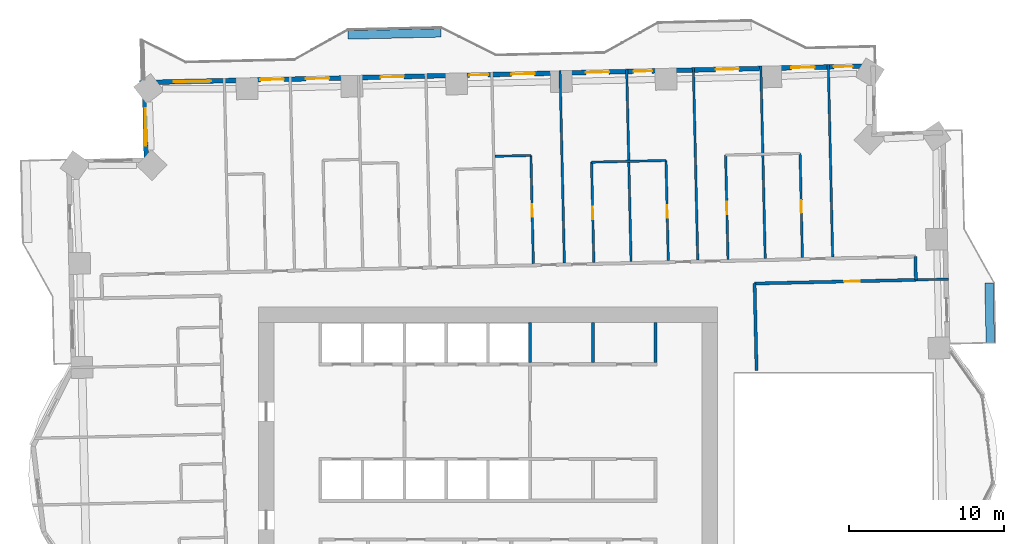
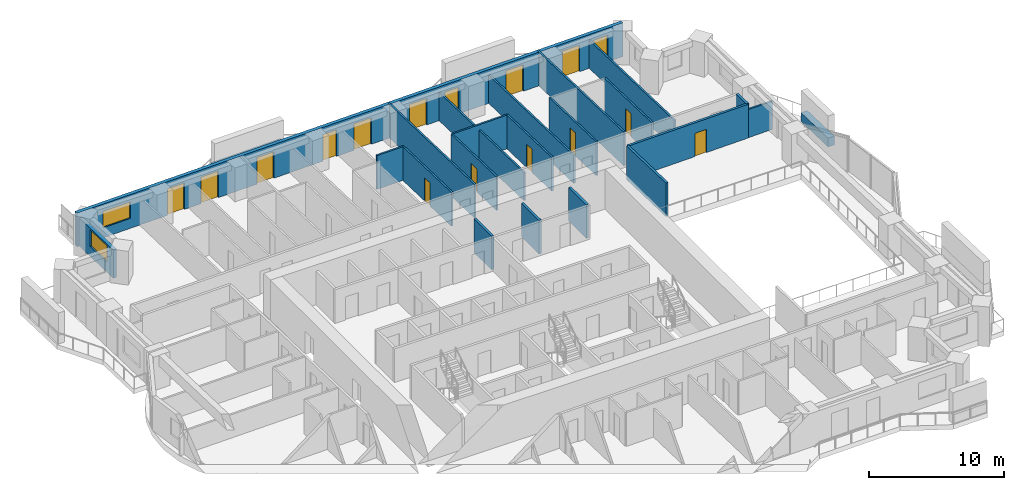
# One storey, part 12 of 17: 23 walls, 16 doors, 2 windows, 18 openings.
"""IFC4 building model written with IfcOpenShell, lengths in metres."""

import ifcopenshell
import ifcopenshell.guid

model = None  # the IFC model being written
_history = None  # IfcOwnerHistory: only IFC2X3 demands one
_inside = {}  # id of a spatial element -> (the spatial element, [elements in it])
_under = {}  # id of a project, library or spatial element -> (it, [spatial elements below it])
_declared = {}  # id of a project -> (the project, [libraries it declares])
_typed = {}  # id of a type object -> (the type object, [elements of that type])
_made_of = {}  # id of a material, layer set ... -> (it, [elements and type objects made of it])


def new_model(schema):
    """Start an empty IFC model of exactly this schema.

    Asked for "IFC4X3", IfcOpenShell would pick the latest addendum, in which some entities
    have other attributes; the version numbers below select the first issue.
    IFC2X3 requires an IfcOwnerHistory on every rooted entity: one is made here for all.
    """
    global model, _history
    if schema == "IFC4X3":
        model = ifcopenshell.file(schema_version=(4, 3, 0, 0))
    else:
        model = ifcopenshell.file(schema=schema)
    _inside.clear()
    _under.clear()
    _declared.clear()
    _typed.clear()
    _made_of.clear()
    _history = None
    if model.schema == "IFC2X3":
        org = make("IfcOrganization", Name="unknown")
        user = make(
            "IfcPersonAndOrganization",
            ThePerson=make("IfcPerson", FamilyName="unknown"),
            TheOrganization=org,
        )
        app = make(
            "IfcApplication",
            ApplicationDeveloper=org,
            Version="unknown",
            ApplicationFullName="unknown",
            ApplicationIdentifier="unknown",
        )
        _history = make(
            "IfcOwnerHistory",
            OwningUser=user,
            OwningApplication=app,
            ChangeAction="ADDED",
            CreationDate=0,
        )
    return model


def make(cls, **values):
    """One entity of the class cls with the attributes given. An attribute that is None is left unset."""
    return model.create_entity(
        cls, **{name: value for name, value in values.items() if value is not None}
    )


def rooted(cls, **values):
    """An entity with a GlobalId (a new one), such as an element, a storey or a relation."""
    return make(cls, GlobalId=ifcopenshell.guid.new(), OwnerHistory=_history, **values)


def si_unit(unit_type, name, prefix=None):
    """IfcSIUnit, for example si_unit("LENGTHUNIT", "METRE", prefix="MILLI")."""
    return make("IfcSIUnit", UnitType=unit_type, Prefix=prefix, Name=name)


def assignment(units):
    """IfcUnitAssignment: the units of a project."""
    return None if units is None else make("IfcUnitAssignment", Units=units)


def point(xyz):
    """IfcCartesianPoint."""
    return None if xyz is None else make("IfcCartesianPoint", Coordinates=xyz)


def direction(xyz):
    """IfcDirection."""
    return None if xyz is None else make("IfcDirection", DirectionRatios=xyz)


def frame(location, z_axis=None, x_axis=None):
    """IfcAxis2Placement3D, a coordinate frame: its origin and axes. An axis left out is left unset."""
    return make(
        "IfcAxis2Placement3D",
        Location=point(location),
        Axis=direction(z_axis),
        RefDirection=direction(x_axis),
    )


def frame_2d(location, x_axis=None):
    """IfcAxis2Placement2D, a coordinate frame in the plane: its origin and x axis."""
    return make(
        "IfcAxis2Placement2D", Location=point(location), RefDirection=direction(x_axis)
    )


def origin():
    """The frame at (0, 0, 0) with its axes left unset."""
    return frame((0.0, 0.0, 0.0))


def place(relative_to, where):
    """IfcLocalPlacement: puts the frame where relative to a parent placement (None: the world)."""
    return make(
        "IfcLocalPlacement", PlacementRelTo=relative_to, RelativePlacement=where
    )


def context(
    kind, dimensions, precision=None, world=None, true_north=None, identifier=None
):
    """IfcGeometricRepresentationContext, for example the 3D "Model" context."""
    return make(
        "IfcGeometricRepresentationContext",
        ContextIdentifier=identifier,
        ContextType=kind,
        CoordinateSpaceDimension=dimensions,
        Precision=precision,
        WorldCoordinateSystem=world,
        TrueNorth=true_north,
    )


def subcontext(parent, identifier, kind, view, scale=None):
    """IfcGeometricRepresentationSubContext, for example "Body" below "Model"."""
    return make(
        "IfcGeometricRepresentationSubContext",
        ContextIdentifier=identifier,
        ContextType=kind,
        ParentContext=parent,
        TargetScale=scale,
        TargetView=view,
    )


def project(units=None, contexts=None):
    """IfcProject with its units and contexts."""
    return rooted(
        "IfcProject",
        Name="project",
        RepresentationContexts=contexts,
        UnitsInContext=assignment(units),
    )


def spatial(cls, under=None, at=None, **own):
    """A site, building, storey or space (cls), placed at a placement, below another one or the project."""
    s = rooted(cls, ObjectPlacement=at, **own)
    if under is not None:
        _under.setdefault(under.id(), (under, []))[1].append(s)
    return s


def profile(cls, at=None, kind="AREA", **sizes):
    """A parametric profile (cls). Its sizes go by their IFC names, for example OverallWidth=200.0."""
    return make(cls, ProfileType=kind, Position=at, **sizes)


def rectangle(**sizes):
    """IfcRectangleProfileDef."""
    return profile("IfcRectangleProfileDef", **sizes)


def extrude(swept, where, along, depth):
    """IfcExtrudedAreaSolid: the profile swept, set in the frame where, extruded along a direction by depth."""
    return make(
        "IfcExtrudedAreaSolid",
        SweptArea=swept,
        Position=where,
        ExtrudedDirection=direction(along),
        Depth=depth,
    )


def shape(context_of_items, identifier, shape_type, items):
    """IfcShapeRepresentation: the items that make up one representation, for example the "Body"."""
    return make(
        "IfcShapeRepresentation",
        ContextOfItems=context_of_items,
        RepresentationIdentifier=identifier,
        RepresentationType=shape_type,
        Items=items,
    )


def material(Name=None, Category=None):
    """IfcMaterial."""
    return make("IfcMaterial", Name=Name, Category=Category)


def layer(
    of_material, thickness, ventilated=None, Name=None, Category=None, Priority=None
):
    """IfcMaterialLayer: one layer of a wall or slab, of a material (None: an air gap)."""
    return make(
        "IfcMaterialLayer",
        Material=of_material,
        LayerThickness=thickness,
        IsVentilated=ventilated,
        Name=Name,
        Category=Category,
        Priority=Priority,
    )


def layer_set(layers, Name=None):
    """IfcMaterialLayerSet."""
    return make("IfcMaterialLayerSet", MaterialLayers=layers, LayerSetName=Name)


def made_of(thing, what):
    """Note that an element or type object is made of a material, layer set ...; save() writes the relation."""
    if what is not None:
        _made_of.setdefault(what.id(), (what, []))[1].append(thing)
    return thing


def type_object(cls, material=None, **own):
    """A type object (cls), such as IfcWallType, which elements share."""
    return made_of(rooted(cls, **own), material)


def element(
    cls,
    number,
    at=None,
    inside=None,
    cuts=None,
    type_object=None,
    material=None,
    context=None,
    identifier="Body",
    shape_type=None,
    held_by="IfcProductDefinitionShape",
    body=None,
    shapes=None,
    **own,
):
    """One element of the class cls, such as IfcWall. Its Tag is "e" and its number.

    at: its placement. inside: the storey or other place that contains it. cuts: it is an
    opening in that element (IfcRelVoidsElement). A single representation is given by context,
    identifier, shape_type and body (its items); several are given by shapes. held_by: the class
    of the entity that holds the representations. save() writes the other relations.
    """
    e = rooted(cls, Tag="e%d" % number, ObjectPlacement=at, **own)
    if body is not None:
        shapes = [shape(context, identifier, shape_type, body)]
    if shapes is not None:
        e.Representation = make(held_by, Representations=shapes)
    if inside is not None:
        _inside.setdefault(inside.id(), (inside, []))[1].append(e)
    if cuts is not None:
        rooted(
            "IfcRelVoidsElement", RelatingBuildingElement=cuts, RelatedOpeningElement=e
        )
    if type_object is not None:
        _typed.setdefault(type_object.id(), (type_object, []))[1].append(e)
    return made_of(e, material)


def fill(opening, filler):
    """IfcRelFillsElement: the door or window that sits in an opening."""
    return rooted(
        "IfcRelFillsElement",
        RelatingOpeningElement=opening,
        RelatedBuildingElement=filler,
    )


def aggregate(whole, parts):
    """IfcRelAggregates: a whole, such as a stair, and the parts it consists of."""
    return rooted("IfcRelAggregates", RelatingObject=whole, RelatedObjects=parts)


def save(model, path):
    """Write the relations noted so far, then the file.

    IfcRelAggregates (storeys below a building ...), IfcRelContainedInSpatialStructure (elements
    in a storey), IfcRelDefinesByType, IfcRelAssociatesMaterial and IfcRelDeclares: one each for
    every whole, place, type object, material and project.
    """
    for whole, parts in _under.values():
        aggregate(whole, parts)
    for where, things in _inside.values():
        rooted(
            "IfcRelContainedInSpatialStructure",
            RelatedElements=things,
            RelatingStructure=where,
        )
    for kind, things in _typed.values():
        rooted("IfcRelDefinesByType", RelatedObjects=things, RelatingType=kind)
    for what, things in _made_of.values():
        rooted("IfcRelAssociatesMaterial", RelatedObjects=things, RelatingMaterial=what)
    for by, libraries in _declared.values():
        rooted("IfcRelDeclares", RelatingContext=by, RelatedDefinitions=libraries)
    model.write(path)


model = new_model("IFC4")

# Units and contexts
model_context = context("Model", 3, precision=1e-05, world=origin(), true_north=direction((0.0, 1.0)))
body_context = subcontext(model_context, "Body", "Model", "MODEL_VIEW")
ifc_project = project(units=[si_unit("LENGTHUNIT", "METRE"), si_unit("AREAUNIT", "SQUARE_METRE"), si_unit("VOLUMEUNIT", "CUBIC_METRE"), si_unit("PLANEANGLEUNIT", "RADIAN"), si_unit("MASSUNIT", "GRAM", prefix="KILO")], contexts=[model_context])

# Site, building, storey
site_placement = place(None, origin())
site = spatial("IfcSite", under=ifc_project, at=site_placement, CompositionType="ELEMENT")
building_placement = place(site_placement, origin())
building = spatial("IfcBuilding", under=site, at=building_placement, Name="Mangrove Gate Tower", CompositionType="ELEMENT")
storey_placement = place(building_placement, frame((0.0, 0.0, 93.699951171875)))
storey = spatial("IfcBuildingStorey", under=building, at=storey_placement, Name="L23", CompositionType="ELEMENT", Elevation=93.699951171875)

# Walls
ifc_material_1 = material(Name="Concrete C32/40", Category="concrete")
ifc_layer_1 = layer(ifc_material_1, 0.199951171875)
ifc_layer_set_1 = layer_set([ifc_layer_1], Name="Core room wall 200 C32/40")
wall_type_1 = type_object("IfcWallType", Name="Core room wall 200 C32/40", PredefinedType="STANDARD", material=ifc_layer_set_1)
for number, where, z_axis, x_axis, name in (
    (1, (6.75, 8.199951171875, 0.0), (0.0, 0.0, 1.0), (0.0, 1.0, 0.0), "WALL-L23-CORE-33"),
    (2, (10.800048828125, 8.199951171875, 0.0), (0.0, 0.0, 1.0), (0.0, 1.0, 0.0), "WALL-L23-CORE-34"),
):
    element("IfcWall", number, at=place(storey_placement, frame(where, z_axis=z_axis, x_axis=x_axis)), inside=storey, type_object=wall_type_1, Name=name, PredefinedType="STANDARD", context=body_context, shape_type="SweptSolid", body=[
        extrude(rectangle(XDim=2.60009765625, YDim=0.199951171875, at=frame_2d((1.300048828125, 0.0))), origin(), (0.0, 0.0, 1.0), 3.050048828125),
    ])
ifc_material_2 = material(Name="Concrete C70/85", Category="concrete")
ifc_layer_2 = layer(ifc_material_2, 0.199951171875)
ifc_layer_set_2 = layer_set([ifc_layer_2], Name="Core shaft wall 200 C70/85")
wall_type_2 = type_object("IfcWallType", Name="Core shaft wall 200 C70/85", PredefinedType="SHEAR", material=ifc_layer_set_2)
wall_1_placement = place(storey_placement, frame((2.699951171875, 8.199951171875, 0.0), z_axis=(0.0, 0.0, 1.0), x_axis=(0.0, 1.0, 0.0)))
element("IfcWall", 3, at=wall_1_placement, inside=storey, type_object=wall_type_2, Name="WALL-L23-CORE-32", PredefinedType="SHEAR", context=body_context, shape_type="SweptSolid", body=[
    extrude(rectangle(XDim=2.60009765625, YDim=0.199951171875, at=frame_2d((1.300048828125, 0.0))), origin(), (0.0, 0.0, 1.0), 3.050048828125),
])
ifc_material_3 = material(Name="Gypsum board on steel stud, EI 60", Category="steel")
ifc_layer_3 = layer(ifc_material_3, 0.199951171875)
ifc_layer_set_3 = layer_set([ifc_layer_3], Name="Corridor wall EI 60")
wall_type_3 = type_object("IfcWallType", Name="Corridor wall EI 60", PredefinedType="PARTITIONING", material=ifc_layer_set_3)
wall_2_placement = place(storey_placement, frame((17.306884765625, 7.68603515625, 0.0), z_axis=(0.0, 0.0, 1.0), x_axis=(-0.022584272568, 0.999744942789, 0.0)))
element("IfcWall", 4, at=wall_2_placement, inside=storey, type_object=wall_type_3, Name="WALL-L23-049", PredefinedType="PARTITIONING", context=body_context, shape_type="SweptSolid", body=[
    extrude(rectangle(XDim=5.621337890625, YDim=0.199951171875, at=frame_2d((2.810546875, 0.0))), origin(), (0.0, 0.0, 1.0), 3.050048828125),
])

# Wall, opening, door
wall_3_placement = place(storey_placement, frame((17.176025390625, 13.305908203125, 0.0), z_axis=(0.0, 0.0, 1.0), x_axis=(0.999742295888, 0.022701141223, 0.0)))
wall_3 = element("IfcWall", 5, at=wall_3_placement, inside=storey, type_object=wall_type_3, Name="WALL-L23-056", PredefinedType="PARTITIONING", context=body_context, shape_type="SweptSolid", body=[
    extrude(rectangle(XDim=10.399658203125, YDim=0.199951171875, at=frame_2d((5.19970703125, 0.0))), origin(), (0.0, 0.0, 1.0), 3.050048828125),
])
opening_1_placement = place(wall_3_placement, frame((5.782958984375, 0.0, 0.0)))
opening_1 = element("IfcOpeningElement", 6, at=opening_1_placement, cuts=wall_3, Name="Opening AD", PredefinedType="OPENING", context=body_context, shape_type="SweptSolid", body=[
    extrude(rectangle(XDim=1.0, YDim=2.10009765625, at=frame_2d((0.5, 1.050048828125))), frame((0.0, 0.10986328125, 0.0), z_axis=(0.0, -1.0, 0.0), x_axis=(1.0, 0.0, 0.0)), (0.0, 0.0, 1.0), 0.219970703125),
])
ifc_material_4 = material(Name="Timber door leaf", Category="wood")
door_type_1 = type_object("IfcDoorType", Name="Amenity door 1000", OperationType="SINGLE_SWING_LEFT", PredefinedType="DOOR", material=ifc_material_4)
door_1_placement = place(opening_1_placement, origin())
door_1 = element("IfcDoor", 7, at=door_1_placement, inside=storey, type_object=door_type_1, Name="DOOR-L23-KIT-c3a", OperationType="SINGLE_SWING_RIGHT", OverallHeight=2.10009765625, OverallWidth=1.0, PredefinedType="DOOR", context=body_context, shape_type="SweptSolid", body=[
    extrude(rectangle(XDim=1.0, YDim=2.10009765625, at=frame_2d((0.5, 1.050048828125))), frame((0.0, 0.02490234375, 0.0), z_axis=(0.0, -1.0, 0.0), x_axis=(1.0, 0.0, 0.0)), (0.0, 0.0, 1.0), 0.050048828125),
])
fill(opening_1, door_1)

# Wall
wall_4_placement = place(storey_placement, frame((27.576904296875, 13.5419921875, 0.0), z_axis=(0.0, 0.0, 1.0), x_axis=(-0.022617910375, 0.999744182344, 0.0)))
element("IfcWall", 8, at=wall_4_placement, inside=storey, type_object=wall_type_3, Name="WALL-L23-058", PredefinedType="PARTITIONING", context=body_context, shape_type="SweptSolid", body=[
    extrude(rectangle(XDim=1.50048828125, YDim=0.199951171875, at=frame_2d((0.750244140625, 0.0))), origin(), (0.0, 0.0, 1.0), 3.050048828125),
])

# Wall, openings, doors, window
ifc_material_5 = material(Name="Limestone", Category="masonry")
ifc_layer_4 = layer(ifc_material_5, 0.0400390625, Name="Limestone cladding")
ifc_material_6 = material(Name="Ventilated air gap")
ifc_layer_5 = layer(ifc_material_6, 0.0400390625, Name="Ventilated cavity")
ifc_material_7 = material(Name="Mineral wool insulation")
ifc_layer_6 = layer(ifc_material_7, 0.06005859375, Name="Insulation")
ifc_material_8 = material(Name="Breather membrane")
ifc_layer_7 = layer(ifc_material_8, 0.001953125, Name="Breather membrane")
ifc_material_9 = material(Name="Concrete C20/25 blockwork", Category="masonry")
ifc_layer_8 = layer(ifc_material_9, 0.14990234375, Name="Blockwork backing wall")
ifc_material_10 = material(Name="Gypsum plaster")
ifc_layer_9 = layer(ifc_material_10, 0.008056640625, Name="Internal plaster")
ifc_layer_set_4 = layer_set([ifc_layer_4, ifc_layer_5, ifc_layer_6, ifc_layer_7, ifc_layer_8, ifc_layer_9], Name="External wall 300 limestone cladding")
wall_type_4 = type_object("IfcWallType", Name="External wall 300 limestone cladding", PredefinedType="SOLIDWALL", material=ifc_layer_set_4)
wall_5_placement = place(storey_placement, frame((24.80908203125, 27.3330078125, 0.0), z_axis=(0.0, 0.0, 1.0), x_axis=(-0.999742676884, -0.022684356233, 0.0)))
wall_5 = element("IfcWall", 9, at=wall_5_placement, inside=storey, type_object=wall_type_4, Name="WALL-L23-N5s1", PredefinedType="SOLIDWALL", context=body_context, shape_type="SweptSolid", body=[
    extrude(rectangle(XDim=47.30126953125, YDim=0.300048828125, at=frame_2d((23.650634765625, 0.0))), origin(), (0.0, 0.0, 1.0), 3.050048828125),
])
opening_2_placement = place(wall_5_placement, frame((1.31103515625, 0.0, 0.0)))
opening_2 = element("IfcOpeningElement", 10, at=opening_2_placement, cuts=wall_5, Name="Opening BD2", PredefinedType="OPENING", context=body_context, shape_type="SweptSolid", body=[
    extrude(rectangle(XDim=1.199951171875, YDim=2.39990234375, at=frame_2d((0.60009765625, 1.199951171875))), frame((0.0, 0.159912109375, 0.0), z_axis=(0.0, -1.0, 0.0), x_axis=(1.0, 0.0, 0.0)), (0.0, 0.0, 1.0), 0.320068359375),
])
opening_3_placement = place(wall_5_placement, frame((3.762939453125, 0.0, 0.0)))
opening_3 = element("IfcOpeningElement", 11, at=opening_3_placement, cuts=wall_5, Name="Opening BD1", PredefinedType="OPENING", context=body_context, shape_type="SweptSolid", body=[
    extrude(rectangle(XDim=1.5, YDim=2.39990234375, at=frame_2d((0.75, 1.199951171875))), frame((0.0, 0.159912109375, 0.0), z_axis=(0.0, -1.0, 0.0), x_axis=(1.0, 0.0, 0.0)), (0.0, 0.0, 1.0), 0.320068359375),
])
opening_4_placement = place(wall_5_placement, frame((8.64697265625, 0.0, 0.0)))
opening_4 = element("IfcOpeningElement", 12, at=opening_4_placement, cuts=wall_5, Name="Opening BD1", PredefinedType="OPENING", context=body_context, shape_type="SweptSolid", body=[
    extrude(rectangle(XDim=1.5, YDim=2.39990234375, at=frame_2d((0.75, 1.199951171875))), frame((0.0, 0.159912109375, 0.0), z_axis=(0.0, -1.0, 0.0), x_axis=(1.0, 0.0, 0.0)), (0.0, 0.0, 1.0), 0.320068359375),
])
opening_5_placement = place(wall_5_placement, frame((14.239013671875, 0.0, 0.0)))
opening_5 = element("IfcOpeningElement", 13, at=opening_5_placement, cuts=wall_5, Name="Opening BD2", PredefinedType="OPENING", context=body_context, shape_type="SweptSolid", body=[
    extrude(rectangle(XDim=1.199951171875, YDim=2.39990234375, at=frame_2d((0.60009765625, 1.199951171875))), frame((0.0, 0.159912109375, 0.0), z_axis=(0.0, -1.0, 0.0), x_axis=(1.0, 0.0, 0.0)), (0.0, 0.0, 1.0), 0.320068359375),
])
opening_6_placement = place(wall_5_placement, frame((17.01611328125, 0.0, 0.0)))
opening_6 = element("IfcOpeningElement", 14, at=opening_6_placement, cuts=wall_5, Name="Opening BD1", PredefinedType="OPENING", context=body_context, shape_type="SweptSolid", body=[
    extrude(rectangle(XDim=1.5, YDim=2.39990234375, at=frame_2d((0.75, 1.199951171875))), frame((0.0, 0.159912109375, 0.0), z_axis=(0.0, -1.0, 0.0), x_axis=(1.0, 0.0, 0.0)), (0.0, 0.0, 1.0), 0.320068359375),
])
opening_7_placement = place(wall_5_placement, frame((21.81591796875, 0.0, 0.0)))
opening_7 = element("IfcOpeningElement", 15, at=opening_7_placement, cuts=wall_5, Name="Opening BD1", PredefinedType="OPENING", context=body_context, shape_type="SweptSolid", body=[
    extrude(rectangle(XDim=1.5, YDim=2.39990234375, at=frame_2d((0.75, 1.199951171875))), frame((0.0, 0.159912109375, 0.0), z_axis=(0.0, -1.0, 0.0), x_axis=(1.0, 0.0, 0.0)), (0.0, 0.0, 1.0), 0.320068359375),
])
opening_8_placement = place(wall_5_placement, frame((24.81689453125, 0.0, 0.0)))
opening_8 = element("IfcOpeningElement", 16, at=opening_8_placement, cuts=wall_5, Name="Opening BD2", PredefinedType="OPENING", context=body_context, shape_type="SweptSolid", body=[
    extrude(rectangle(XDim=1.199951171875, YDim=2.39990234375, at=frame_2d((0.60009765625, 1.199951171875))), frame((0.0, 0.159912109375, 0.0), z_axis=(0.0, -1.0, 0.0), x_axis=(1.0, 0.0, 0.0)), (0.0, 0.0, 1.0), 0.320068359375),
])
opening_9_placement = place(wall_5_placement, frame((30.243896484375, 0.0, 0.0)))
opening_9 = element("IfcOpeningElement", 17, at=opening_9_placement, cuts=wall_5, Name="Opening BD1", PredefinedType="OPENING", context=body_context, shape_type="SweptSolid", body=[
    extrude(rectangle(XDim=1.5, YDim=2.39990234375, at=frame_2d((0.75, 1.199951171875))), frame((0.0, 0.159912109375, 0.0), z_axis=(0.0, -1.0, 0.0), x_axis=(1.0, 0.0, 0.0)), (0.0, 0.0, 1.0), 0.320068359375),
])
opening_10_placement = place(wall_5_placement, frame((35.069091796875, 0.0, 0.0)))
opening_10 = element("IfcOpeningElement", 18, at=opening_10_placement, cuts=wall_5, Name="Opening BD1", PredefinedType="OPENING", context=body_context, shape_type="SweptSolid", body=[
    extrude(rectangle(XDim=1.5, YDim=2.39990234375, at=frame_2d((0.75, 1.199951171875))), frame((0.0, 0.159912109375, 0.0), z_axis=(0.0, -1.0, 0.0), x_axis=(1.0, 0.0, 0.0)), (0.0, 0.0, 1.0), 0.320068359375),
])
opening_11_placement = place(wall_5_placement, frame((37.9951171875, 0.0, 0.0)))
opening_11 = element("IfcOpeningElement", 19, at=opening_11_placement, cuts=wall_5, Name="Opening BD1", PredefinedType="OPENING", context=body_context, shape_type="SweptSolid", body=[
    extrude(rectangle(XDim=1.5, YDim=2.39990234375, at=frame_2d((0.75, 1.199951171875))), frame((0.0, 0.159912109375, 0.0), z_axis=(0.0, -1.0, 0.0), x_axis=(1.0, 0.0, 0.0)), (0.0, 0.0, 1.0), 0.320068359375),
])
opening_12_placement = place(wall_5_placement, frame((42.674072265625, 0.0, 0.89990234375)))
opening_12 = element("IfcOpeningElement", 20, at=opening_12_placement, cuts=wall_5, Name="Opening W2", PredefinedType="OPENING", context=body_context, shape_type="SweptSolid", body=[
    extrude(rectangle(XDim=2.39990234375, YDim=1.5, at=frame_2d((1.199951171875, 0.75))), frame((0.0, 0.159912109375, 0.0), z_axis=(0.0, -1.0, 0.0), x_axis=(1.0, 0.0, 0.0)), (0.0, 0.0, 1.0), 0.320068359375),
])
ifc_material_11 = material(Name="Aluminium frame with laminated clear glass", Category="aluminium")
door_type_2 = type_object("IfcDoorType", Name="Balcony sliding door 1200x2400", OperationType="SLIDING_TO_LEFT", PredefinedType="DOOR", material=ifc_material_11)
door_2_placement = place(opening_2_placement, origin())
door_2 = element("IfcDoor", 21, at=door_2_placement, inside=storey, type_object=door_type_2, Name="DOOR-L23-N5-1", OperationType="SLIDING_TO_LEFT", OverallHeight=2.39990234375, OverallWidth=1.199951171875, PredefinedType="DOOR", context=body_context, shape_type="SweptSolid", body=[
    extrude(rectangle(XDim=1.199951171875, YDim=2.39990234375, at=frame_2d((0.60009765625, 1.199951171875))), frame((0.0, 0.02490234375, 0.0), z_axis=(0.0, -1.0, 0.0), x_axis=(1.0, 0.0, 0.0)), (0.0, 0.0, 1.0), 0.050048828125),
])
fill(opening_2, door_2)
door_3_placement = place(opening_5_placement, origin())
door_3 = element("IfcDoor", 22, at=door_3_placement, inside=storey, type_object=door_type_2, Name="DOOR-L23-N5-4", OperationType="SLIDING_TO_LEFT", OverallHeight=2.39990234375, OverallWidth=1.199951171875, PredefinedType="DOOR", context=body_context, shape_type="SweptSolid", body=[
    extrude(rectangle(XDim=1.199951171875, YDim=2.39990234375, at=frame_2d((0.60009765625, 1.199951171875))), frame((0.0, 0.02490234375, 0.0), z_axis=(0.0, -1.0, 0.0), x_axis=(1.0, 0.0, 0.0)), (0.0, 0.0, 1.0), 0.050048828125),
])
fill(opening_5, door_3)
door_4_placement = place(opening_8_placement, origin())
door_4 = element("IfcDoor", 23, at=door_4_placement, inside=storey, type_object=door_type_2, Name="DOOR-L23-N5-7", OperationType="SLIDING_TO_LEFT", OverallHeight=2.39990234375, OverallWidth=1.199951171875, PredefinedType="DOOR", context=body_context, shape_type="SweptSolid", body=[
    extrude(rectangle(XDim=1.199951171875, YDim=2.39990234375, at=frame_2d((0.60009765625, 1.199951171875))), frame((0.0, 0.02490234375, 0.0), z_axis=(0.0, -1.0, 0.0), x_axis=(1.0, 0.0, 0.0)), (0.0, 0.0, 1.0), 0.050048828125),
])
fill(opening_8, door_4)
ifc_material_12 = material(Name="Aluminium frame with laminated clear glass", Category="aluminium")
door_type_3 = type_object("IfcDoorType", Name="Balcony sliding door 1500x2400", OperationType="SLIDING_TO_LEFT", PredefinedType="DOOR", material=ifc_material_12)
door_5_placement = place(opening_3_placement, origin())
door_5 = element("IfcDoor", 24, at=door_5_placement, inside=storey, type_object=door_type_3, Name="DOOR-L23-N5-2", OperationType="SLIDING_TO_LEFT", OverallHeight=2.39990234375, OverallWidth=1.5, PredefinedType="DOOR", context=body_context, shape_type="SweptSolid", body=[
    extrude(rectangle(XDim=1.5, YDim=2.39990234375, at=frame_2d((0.75, 1.199951171875))), frame((0.0, 0.02490234375, 0.0), z_axis=(0.0, -1.0, 0.0), x_axis=(1.0, 0.0, 0.0)), (0.0, 0.0, 1.0), 0.050048828125),
])
fill(opening_3, door_5)
door_6_placement = place(opening_4_placement, origin())
door_6 = element("IfcDoor", 25, at=door_6_placement, inside=storey, type_object=door_type_3, Name="DOOR-L23-N5-3", OperationType="SLIDING_TO_LEFT", OverallHeight=2.39990234375, OverallWidth=1.5, PredefinedType="DOOR", context=body_context, shape_type="SweptSolid", body=[
    extrude(rectangle(XDim=1.5, YDim=2.39990234375, at=frame_2d((0.75, 1.199951171875))), frame((0.0, 0.02490234375, 0.0), z_axis=(0.0, -1.0, 0.0), x_axis=(1.0, 0.0, 0.0)), (0.0, 0.0, 1.0), 0.050048828125),
])
fill(opening_4, door_6)
door_7_placement = place(opening_6_placement, origin())
door_7 = element("IfcDoor", 26, at=door_7_placement, inside=storey, type_object=door_type_3, Name="DOOR-L23-N5-5", OperationType="SLIDING_TO_LEFT", OverallHeight=2.39990234375, OverallWidth=1.5, PredefinedType="DOOR", context=body_context, shape_type="SweptSolid", body=[
    extrude(rectangle(XDim=1.5, YDim=2.39990234375, at=frame_2d((0.75, 1.199951171875))), frame((0.0, 0.02490234375, 0.0), z_axis=(0.0, -1.0, 0.0), x_axis=(1.0, 0.0, 0.0)), (0.0, 0.0, 1.0), 0.050048828125),
])
fill(opening_6, door_7)
door_8_placement = place(opening_7_placement, origin())
door_8 = element("IfcDoor", 27, at=door_8_placement, inside=storey, type_object=door_type_3, Name="DOOR-L23-N5-6", OperationType="SLIDING_TO_LEFT", OverallHeight=2.39990234375, OverallWidth=1.5, PredefinedType="DOOR", context=body_context, shape_type="SweptSolid", body=[
    extrude(rectangle(XDim=1.5, YDim=2.39990234375, at=frame_2d((0.75, 1.199951171875))), frame((0.0, 0.02490234375, 0.0), z_axis=(0.0, -1.0, 0.0), x_axis=(1.0, 0.0, 0.0)), (0.0, 0.0, 1.0), 0.050048828125),
])
fill(opening_7, door_8)
door_9_placement = place(opening_9_placement, origin())
door_9 = element("IfcDoor", 28, at=door_9_placement, inside=storey, type_object=door_type_3, Name="DOOR-L23-N5-8", OperationType="SLIDING_TO_LEFT", OverallHeight=2.39990234375, OverallWidth=1.5, PredefinedType="DOOR", context=body_context, shape_type="SweptSolid", body=[
    extrude(rectangle(XDim=1.5, YDim=2.39990234375, at=frame_2d((0.75, 1.199951171875))), frame((0.0, 0.02490234375, 0.0), z_axis=(0.0, -1.0, 0.0), x_axis=(1.0, 0.0, 0.0)), (0.0, 0.0, 1.0), 0.050048828125),
])
fill(opening_9, door_9)
door_10_placement = place(opening_10_placement, origin())
door_10 = element("IfcDoor", 29, at=door_10_placement, inside=storey, type_object=door_type_3, Name="DOOR-L23-N5-9", OperationType="SLIDING_TO_LEFT", OverallHeight=2.39990234375, OverallWidth=1.5, PredefinedType="DOOR", context=body_context, shape_type="SweptSolid", body=[
    extrude(rectangle(XDim=1.5, YDim=2.39990234375, at=frame_2d((0.75, 1.199951171875))), frame((0.0, 0.02490234375, 0.0), z_axis=(0.0, -1.0, 0.0), x_axis=(1.0, 0.0, 0.0)), (0.0, 0.0, 1.0), 0.050048828125),
])
fill(opening_10, door_10)
door_11_placement = place(opening_11_placement, origin())
door_11 = element("IfcDoor", 30, at=door_11_placement, inside=storey, type_object=door_type_3, Name="DOOR-L23-N5-10", OperationType="SLIDING_TO_LEFT", OverallHeight=2.39990234375, OverallWidth=1.5, PredefinedType="DOOR", context=body_context, shape_type="SweptSolid", body=[
    extrude(rectangle(XDim=1.5, YDim=2.39990234375, at=frame_2d((0.75, 1.199951171875))), frame((0.0, 0.02490234375, 0.0), z_axis=(0.0, -1.0, 0.0), x_axis=(1.0, 0.0, 0.0)), (0.0, 0.0, 1.0), 0.050048828125),
])
fill(opening_11, door_11)
ifc_material_13 = material(Name="Aluminium frame with double-glazed low-e glass", Category="aluminium")
window_type = type_object("IfcWindowType", Name="Corner room window 2400x1500", PartitioningType="DOUBLE_PANEL_VERTICAL", PredefinedType="WINDOW", material=ifc_material_13)
window_1_placement = place(opening_12_placement, origin())
window_1 = element("IfcWindow", 31, at=window_1_placement, inside=storey, type_object=window_type, Name="WIN-L23-N5-11", OverallHeight=1.5, OverallWidth=2.39990234375, PartitioningType="DOUBLE_PANEL_VERTICAL", PredefinedType="WINDOW", context=body_context, shape_type="SweptSolid", body=[
    extrude(rectangle(XDim=2.39990234375, YDim=1.5, at=frame_2d((1.199951171875, 0.75))), frame((0.0, 0.030029296875, 0.0), z_axis=(0.0, -1.0, 0.0), x_axis=(1.0, 0.0, 0.0)), (0.0, 0.0, 1.0), 0.06005859375),
])
fill(opening_12, window_1)

# Wall, opening, window
wall_6_placement = place(storey_placement, frame((-22.15087890625, 26.26708984375, 0.0), z_axis=(0.0, 0.0, 1.0), x_axis=(0.022756903044, -0.999741028149, 0.0)))
wall_6 = element("IfcWall", 32, at=wall_6_placement, inside=storey, type_object=wall_type_4, Name="WALL-L23-W6", PredefinedType="SOLIDWALL", context=body_context, shape_type="SweptSolid", body=[
    extrude(rectangle(XDim=4.999267578125, YDim=0.300048828125, at=frame_2d((2.49951171875, 0.0))), origin(), (0.0, 0.0, 1.0), 2.550048828125),
])
opening_13_placement = place(wall_6_placement, frame((1.674072265625, 0.0, 0.89990234375)))
opening_13 = element("IfcOpeningElement", 33, at=opening_13_placement, cuts=wall_6, Name="Opening W2", PredefinedType="OPENING", context=body_context, shape_type="SweptSolid", body=[
    extrude(rectangle(XDim=2.39990234375, YDim=1.5, at=frame_2d((1.199951171875, 0.75))), frame((0.0, 0.159912109375, 0.0), z_axis=(0.0, -1.0, 0.0), x_axis=(1.0, 0.0, 0.0)), (0.0, 0.0, 1.0), 0.320068359375),
])
window_2_placement = place(opening_13_placement, origin())
window_2 = element("IfcWindow", 34, at=window_2_placement, inside=storey, type_object=window_type, Name="WIN-L23-W6-1", OverallHeight=1.5, OverallWidth=2.39990234375, PartitioningType="DOUBLE_PANEL_VERTICAL", PredefinedType="WINDOW", context=body_context, shape_type="SweptSolid", body=[
    extrude(rectangle(XDim=2.39990234375, YDim=1.5, at=frame_2d((1.199951171875, 0.75))), frame((0.0, 0.030029296875, 0.0), z_axis=(0.0, -1.0, 0.0), x_axis=(1.0, 0.0, 0.0)), (0.0, 0.0, 1.0), 0.06005859375),
])
fill(opening_13, window_2)

# Wall
ifc_material_14 = material(Name="Gypsum board on steel stud, EI 60", Category="steel")
ifc_layer_10 = layer(ifc_material_14, 0.14990234375)
ifc_layer_set_5 = layer_set([ifc_layer_10], Name="Party wall 150 EI 60")
wall_type_5 = type_object("IfcWallType", Name="Party wall 150 EI 60", PredefinedType="PARTITIONING", material=ifc_layer_set_5)
wall_7_placement = place(storey_placement, frame((27.572998046875, 13.5419921875, 0.0), z_axis=(0.0, 0.0, 1.0), x_axis=(0.999737616439, 0.022906293375, 0.0)))
element("IfcWall", 35, at=wall_7_placement, inside=storey, type_object=wall_type_5, Name="WALL-L23-057", PredefinedType="PARTITIONING", context=body_context, shape_type="SweptSolid", body=[
    extrude(rectangle(XDim=2.099609375, YDim=0.14990234375, at=frame_2d((1.0498046875, 0.0))), origin(), (0.0, 0.0, 1.0), 2.550048828125),
])

# Wall, opening, door
wall_8_placement = place(storey_placement, frame((2.9169921875, 14.5830078125, 0.0), z_axis=(0.0, 0.0, 1.0), x_axis=(-0.022630826984, 0.999743890039, 0.0)))
wall_8 = element("IfcWall", 36, at=wall_8_placement, inside=storey, type_object=wall_type_5, Name="WALL-L23-069", PredefinedType="PARTITIONING", context=body_context, shape_type="SweptSolid", body=[
    extrude(rectangle(XDim=6.979736328125, YDim=0.14990234375, at=frame_2d((3.48974609375, 0.0))), origin(), (0.0, 0.0, 1.0), 3.050048828125),
])
opening_14_placement = place(wall_8_placement, frame((3.0400390625, 0.0, 0.0)))
opening_14 = element("IfcOpeningElement", 37, at=opening_14_placement, cuts=wall_8, Name="Opening ED", PredefinedType="OPENING", context=body_context, shape_type="SweptSolid", body=[
    extrude(rectangle(XDim=0.800048828125, YDim=2.10009765625, at=frame_2d((0.39990234375, 1.050048828125))), frame((0.0, 0.0849609375, 0.0), z_axis=(0.0, -1.0, 0.0), x_axis=(1.0, 0.0, 0.0)), (0.0, 0.0, 1.0), 0.169921875),
])
ifc_material_15 = material(Name="Timber door leaf", Category="wood")
door_type_4 = type_object("IfcDoorType", Name="En-suite door 800", OperationType="SINGLE_SWING_LEFT", PredefinedType="DOOR", material=ifc_material_15)
door_12_placement = place(opening_14_placement, origin())
door_12 = element("IfcDoor", 38, at=door_12_placement, inside=storey, type_object=door_type_4, Name="DOOR-L23-ENS-c413", OperationType="SINGLE_SWING_LEFT", OverallHeight=2.10009765625, OverallWidth=0.800048828125, PredefinedType="DOOR", context=body_context, shape_type="SweptSolid", body=[
    extrude(rectangle(XDim=0.800048828125, YDim=2.10009765625, at=frame_2d((0.39990234375, 1.050048828125))), frame((0.0, 0.02490234375, 0.0), z_axis=(0.0, -1.0, 0.0), x_axis=(1.0, 0.0, 0.0)), (0.0, 0.0, 1.0), 0.050048828125),
])
fill(opening_14, door_12)

# Wall
wall_9_placement = place(storey_placement, frame((4.916015625, 14.62890625, 0.0), z_axis=(0.0, 0.0, 1.0), x_axis=(-0.022663260168, 0.999743155335, 0.0)))
element("IfcWall", 39, at=wall_9_placement, inside=storey, type_object=wall_type_5, Name="WALL-L23-070", PredefinedType="PARTITIONING", context=body_context, shape_type="SweptSolid", body=[
    extrude(rectangle(XDim=12.399169921875, YDim=0.14990234375, at=frame_2d((6.19970703125, 0.0))), origin(), (0.0, 0.0, 1.0), 3.050048828125),
])

# Wall, opening, door
wall_10_placement = place(storey_placement, frame((6.81591796875, 14.672119140625, 0.0), z_axis=(0.0, 0.0, 1.0), x_axis=(-0.022753171905, 0.999741113073, 0.0)))
wall_10 = element("IfcWall", 40, at=wall_10_placement, inside=storey, type_object=wall_type_5, Name="WALL-L23-071", PredefinedType="PARTITIONING", context=body_context, shape_type="SweptSolid", body=[
    extrude(rectangle(XDim=6.45947265625, YDim=0.14990234375, at=frame_2d((3.229736328125, 0.0))), origin(), (0.0, 0.0, 1.0), 3.050048828125),
])
opening_15_placement = place(wall_10_placement, frame((2.780029296875, 0.0, 0.0)))
opening_15 = element("IfcOpeningElement", 41, at=opening_15_placement, cuts=wall_10, Name="Opening ED", PredefinedType="OPENING", context=body_context, shape_type="SweptSolid", body=[
    extrude(rectangle(XDim=0.800048828125, YDim=2.10009765625, at=frame_2d((0.39990234375, 1.050048828125))), frame((0.0, 0.0849609375, 0.0), z_axis=(0.0, -1.0, 0.0), x_axis=(1.0, 0.0, 0.0)), (0.0, 0.0, 1.0), 0.169921875),
])
door_13_placement = place(opening_15_placement, origin())
door_13 = element("IfcDoor", 42, at=door_13_placement, inside=storey, type_object=door_type_4, Name="DOOR-L23-ENS-c412", OperationType="SINGLE_SWING_RIGHT", OverallHeight=2.10009765625, OverallWidth=0.800048828125, PredefinedType="DOOR", context=body_context, shape_type="SweptSolid", body=[
    extrude(rectangle(XDim=0.800048828125, YDim=2.10009765625, at=frame_2d((0.39990234375, 1.050048828125))), frame((0.0, 0.02490234375, 0.0), z_axis=(0.0, -1.0, 0.0), x_axis=(1.0, 0.0, 0.0)), (0.0, 0.0, 1.0), 0.050048828125),
])
fill(opening_15, door_13)

# Wall
wall_11_placement = place(storey_placement, frame((9.215087890625, 14.72607421875, 0.0), z_axis=(0.0, 0.0, 1.0), x_axis=(-0.022661475803, 0.999743195783, 0.0)))
element("IfcWall", 43, at=wall_11_placement, inside=storey, type_object=wall_type_5, Name="WALL-L23-072", PredefinedType="PARTITIONING", context=body_context, shape_type="SweptSolid", body=[
    extrude(rectangle(XDim=12.400146484375, YDim=0.14990234375, at=frame_2d((6.2001953125, 0.0))), origin(), (0.0, 0.0, 1.0), 2.550048828125),
])

# Wall, opening, door
wall_12_placement = place(storey_placement, frame((11.614990234375, 14.781005859375, 0.0), z_axis=(0.0, 0.0, 1.0), x_axis=(-0.022752312182, 0.999741132639, 0.0)))
wall_12 = element("IfcWall", 44, at=wall_12_placement, inside=storey, type_object=wall_type_5, Name="WALL-L23-073", PredefinedType="PARTITIONING", context=body_context, shape_type="SweptSolid", body=[
    extrude(rectangle(XDim=6.459716796875, YDim=0.14990234375, at=frame_2d((3.22998046875, 0.0))), origin(), (0.0, 0.0, 1.0), 3.050048828125),
])
opening_16_placement = place(wall_12_placement, frame((2.780029296875, 0.0, 0.0)))
opening_16 = element("IfcOpeningElement", 45, at=opening_16_placement, cuts=wall_12, Name="Opening ED", PredefinedType="OPENING", context=body_context, shape_type="SweptSolid", body=[
    extrude(rectangle(XDim=0.800048828125, YDim=2.10009765625, at=frame_2d((0.39990234375, 1.050048828125))), frame((0.0, 0.0849609375, 0.0), z_axis=(0.0, -1.0, 0.0), x_axis=(1.0, 0.0, 0.0)), (0.0, 0.0, 1.0), 0.169921875),
])
door_14_placement = place(opening_16_placement, origin())
door_14 = element("IfcDoor", 46, at=door_14_placement, inside=storey, type_object=door_type_4, Name="DOOR-L23-ENS-c311", OperationType="SINGLE_SWING_LEFT", OverallHeight=2.10009765625, OverallWidth=0.800048828125, PredefinedType="DOOR", context=body_context, shape_type="SweptSolid", body=[
    extrude(rectangle(XDim=0.800048828125, YDim=2.10009765625, at=frame_2d((0.39990234375, 1.050048828125))), frame((0.0, 0.02490234375, 0.0), z_axis=(0.0, -1.0, 0.0), x_axis=(1.0, 0.0, 0.0)), (0.0, 0.0, 1.0), 0.050048828125),
])
fill(opening_16, door_14)

# Wall
wall_13_placement = place(storey_placement, frame((13.513916015625, 14.823974609375, 0.0), z_axis=(0.0, 0.0, 1.0), x_axis=(-0.022661475803, 0.999743195783, 0.0)))
element("IfcWall", 47, at=wall_13_placement, inside=storey, type_object=wall_type_5, Name="WALL-L23-074", PredefinedType="PARTITIONING", context=body_context, shape_type="SweptSolid", body=[
    extrude(rectangle(XDim=12.400146484375, YDim=0.14990234375, at=frame_2d((6.2001953125, 0.0))), origin(), (0.0, 0.0, 1.0), 2.550048828125),
])

# Wall, opening, door
wall_14_placement = place(storey_placement, frame((15.464111328125, 14.867919921875, 0.0), z_axis=(0.0, 0.0, 1.0), x_axis=(-0.022780001265, 0.999740502102, 0.0)))
wall_14 = element("IfcWall", 48, at=wall_14_placement, inside=storey, type_object=wall_type_5, Name="WALL-L23-075", PredefinedType="PARTITIONING", context=body_context, shape_type="SweptSolid", body=[
    extrude(rectangle(XDim=6.7197265625, YDim=0.14990234375, at=frame_2d((3.35986328125, 0.0))), origin(), (0.0, 0.0, 1.0), 3.050048828125),
])
opening_17_placement = place(wall_14_placement, frame((2.909912109375, 0.0, 0.0)))
opening_17 = element("IfcOpeningElement", 49, at=opening_17_placement, cuts=wall_14, Name="Opening ED", PredefinedType="OPENING", context=body_context, shape_type="SweptSolid", body=[
    extrude(rectangle(XDim=0.800048828125, YDim=2.10009765625, at=frame_2d((0.39990234375, 1.050048828125))), frame((0.0, 0.0849609375, 0.0), z_axis=(0.0, -1.0, 0.0), x_axis=(1.0, 0.0, 0.0)), (0.0, 0.0, 1.0), 0.169921875),
])
door_15_placement = place(opening_17_placement, origin())
door_15 = element("IfcDoor", 50, at=door_15_placement, inside=storey, type_object=door_type_4, Name="DOOR-L23-ENS-c310", OperationType="SINGLE_SWING_RIGHT", OverallHeight=2.10009765625, OverallWidth=0.800048828125, PredefinedType="DOOR", context=body_context, shape_type="SweptSolid", body=[
    extrude(rectangle(XDim=0.800048828125, YDim=2.10009765625, at=frame_2d((0.39990234375, 1.050048828125))), frame((0.0, 0.02490234375, 0.0), z_axis=(0.0, -1.0, 0.0), x_axis=(1.0, 0.0, 0.0)), (0.0, 0.0, 1.0), 0.050048828125),
])
fill(opening_17, door_15)

# Wall
wall_15_placement = place(storey_placement, frame((17.863037109375, 14.922119140625, 0.0), z_axis=(0.0, 0.0, 1.0), x_axis=(-0.022661475803, 0.999743195783, 0.0)))
element("IfcWall", 51, at=wall_15_placement, inside=storey, type_object=wall_type_5, Name="WALL-L23-076", PredefinedType="PARTITIONING", context=body_context, shape_type="SweptSolid", body=[
    extrude(rectangle(XDim=12.400146484375, YDim=0.14990234375, at=frame_2d((6.2001953125, 0.0))), origin(), (0.0, 0.0, 1.0), 3.050048828125),
])

# Wall, opening, door
wall_16_placement = place(storey_placement, frame((20.261962890625, 14.97705078125, 0.0), z_axis=(0.0, 0.0, 1.0), x_axis=(-0.022598435707, 0.999744622743, 0.0)))
wall_16 = element("IfcWall", 52, at=wall_16_placement, inside=storey, type_object=wall_type_5, Name="WALL-L23-077", PredefinedType="PARTITIONING", context=body_context, shape_type="SweptSolid", body=[
    extrude(rectangle(XDim=6.7197265625, YDim=0.14990234375, at=frame_2d((3.35986328125, 0.0))), origin(), (0.0, 0.0, 1.0), 3.050048828125),
])
opening_18_placement = place(wall_16_placement, frame((2.909912109375, 0.0, 0.0)))
opening_18 = element("IfcOpeningElement", 53, at=opening_18_placement, cuts=wall_16, Name="Opening ED", PredefinedType="OPENING", context=body_context, shape_type="SweptSolid", body=[
    extrude(rectangle(XDim=0.800048828125, YDim=2.10009765625, at=frame_2d((0.39990234375, 1.050048828125))), frame((0.0, 0.0849609375, 0.0), z_axis=(0.0, -1.0, 0.0), x_axis=(1.0, 0.0, 0.0)), (0.0, 0.0, 1.0), 0.169921875),
])
door_16_placement = place(opening_18_placement, origin())
door_16 = element("IfcDoor", 54, at=door_16_placement, inside=storey, type_object=door_type_4, Name="DOOR-L23-ENS-c309", OperationType="SINGLE_SWING_LEFT", OverallHeight=2.10009765625, OverallWidth=0.800048828125, PredefinedType="DOOR", context=body_context, shape_type="SweptSolid", body=[
    extrude(rectangle(XDim=0.800048828125, YDim=2.10009765625, at=frame_2d((0.39990234375, 1.050048828125))), frame((0.0, 0.02490234375, 0.0), z_axis=(0.0, -1.0, 0.0), x_axis=(1.0, 0.0, 0.0)), (0.0, 0.0, 1.0), 0.050048828125),
])
fill(opening_18, door_16)

# Walls
wall_17_placement = place(storey_placement, frame((22.2119140625, 15.02099609375, 0.0), z_axis=(0.0, 0.0, 1.0), x_axis=(-0.022661475803, 0.999743195783, 0.0)))
element("IfcWall", 55, at=wall_17_placement, inside=storey, type_object=wall_type_5, Name="WALL-L23-078", PredefinedType="PARTITIONING", context=body_context, shape_type="SweptSolid", body=[
    extrude(rectangle(XDim=12.400146484375, YDim=0.14990234375, at=frame_2d((6.2001953125, 0.0))), origin(), (0.0, 0.0, 1.0), 2.550048828125),
])
wall_18_placement = place(storey_placement, frame((6.673095703125, 21.1298828125, 0.0), z_axis=(0.0, 0.0, 1.0), x_axis=(0.999741520352, 0.022735269617, 0.0)))
element("IfcWall", 56, at=wall_18_placement, inside=storey, type_object=wall_type_5, Name="WALL-L23-081", PredefinedType="PARTITIONING", context=body_context, shape_type="SweptSolid", body=[
    extrude(rectangle(XDim=4.800048828125, YDim=0.14990234375, at=frame_2d((2.39990234375, 0.0))), origin(), (0.0, 0.0, 1.0), 3.050048828125),
])
wall_19_placement = place(storey_placement, frame((0.43798828125, 21.509033203125, 0.0), z_axis=(0.0, 0.0, 1.0), x_axis=(0.999740478815, 0.022781023197, 0.0)))
element("IfcWall", 57, at=wall_19_placement, inside=storey, type_object=wall_type_5, Name="WALL-L23-085", PredefinedType="PARTITIONING", context=body_context, shape_type="SweptSolid", body=[
    extrude(rectangle(XDim=2.325439453125, YDim=0.14990234375, at=frame_2d((1.16259765625, 0.0))), origin(), (0.0, 0.0, 1.0), 3.050048828125),
])
ifc_material_16 = material(Name="Concrete C32/40", Category="concrete")
ifc_layer_11 = layer(ifc_material_16, 0.199951171875, Name="Planter trough wall")
ifc_material_17 = material(Name="Bituminous waterproofing membrane")
ifc_layer_12 = layer(ifc_material_17, 0.0048828125, Name="Waterproofing")
ifc_material_18 = material(Name="Drainage board and gravel")
ifc_layer_13 = layer(ifc_material_18, 0.044921875, Name="Drainage layer")
ifc_material_19 = material(Name="Planting soil")
ifc_layer_14 = layer(ifc_material_19, 0.300048828125, Name="Growing medium")
ifc_layer_set_6 = layer_set([ifc_layer_11, ifc_layer_12, ifc_layer_13, ifc_layer_14], Name="Planter wall 550 C32/40")
wall_type_6 = type_object("IfcWallType", Name="Planter wall 550 C32/40", PredefinedType="USERDEFINED", material=ifc_layer_set_6)
wall_20_placement = place(storey_placement, frame((32.381103515625, 9.47607421875, 0.0), z_axis=(0.0, 0.0, 1.0), x_axis=(-0.022744303924, 0.999741314861, 0.0)))
element("IfcWall", 58, at=wall_20_placement, inside=storey, type_object=wall_type_6, Name="PLANTER L23 E1.1", ObjectType="PLANTER", PredefinedType="USERDEFINED", context=body_context, shape_type="SweptSolid", body=[
    extrude(rectangle(XDim=3.875, YDim=0.550048828125, at=frame_2d((1.9375, 0.0))), origin(), (0.0, 0.0, 1.0), 0.800048828125),
])
wall_21_placement = place(storey_placement, frame((-9.031005859375, 29.3310546875, 0.0), z_axis=(0.0, 0.0, 1.0), x_axis=(0.999743094499, 0.022665943652, 0.0)))
element("IfcWall", 59, at=wall_21_placement, inside=storey, type_object=wall_type_6, Name="PLANTER L23 N1.1", ObjectType="PLANTER", PredefinedType="USERDEFINED", context=body_context, shape_type="SweptSolid", body=[
    extrude(rectangle(XDim=5.99951171875, YDim=0.550048828125, at=frame_2d((2.999755859375, 0.0))), origin(), (0.0, 0.0, 1.0), 0.800048828125),
])

save(model, "model.ifc")
